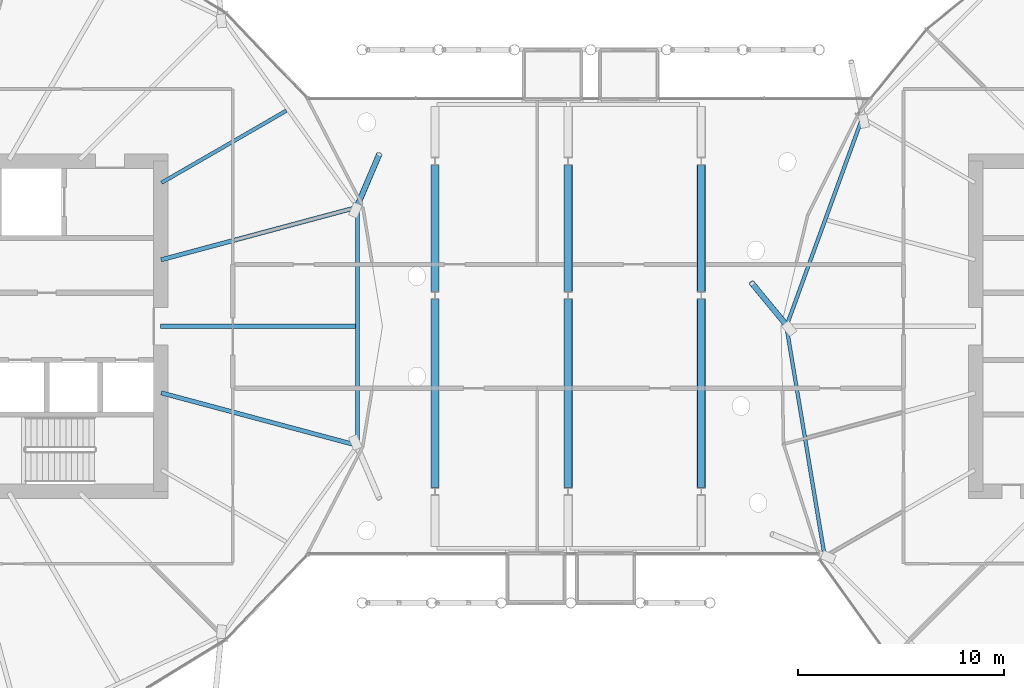
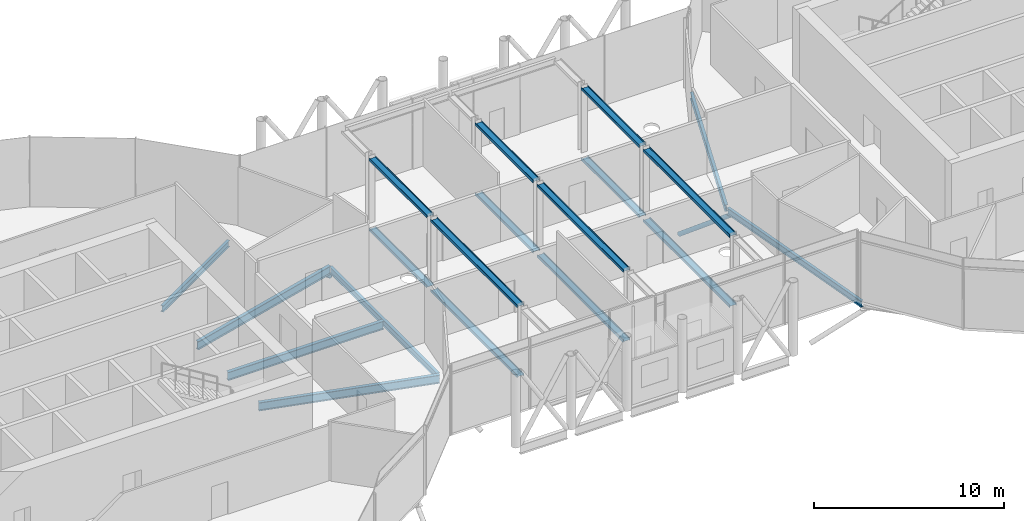
# One storey, part 7 of 36: 19 beams, 2 members.
"""IFC4 building model written with IfcOpenShell, lengths in metres."""

from ifc_helpers import new_model, si_unit, direction, frame, origin, origin_2d, place, context, subcontext, project, spatial, hollow_circle, i_section, extrude, clip, halfspace, material, material_profile, profile_set, type_object, element, save


model = new_model("IFC4")

# Units and contexts
model_context = context("Model", 3, precision=1e-05, world=origin(), true_north=direction((0.0, 1.0)))
body_context = subcontext(model_context, "Body", "Model", "MODEL_VIEW")
ifc_project = project(units=[si_unit("LENGTHUNIT", "METRE"), si_unit("AREAUNIT", "SQUARE_METRE"), si_unit("VOLUMEUNIT", "CUBIC_METRE"), si_unit("PLANEANGLEUNIT", "RADIAN"), si_unit("MASSUNIT", "GRAM", prefix="KILO")], contexts=[model_context])

# Site, building, storey
site_placement = place(None, origin())
site = spatial("IfcSite", under=ifc_project, at=site_placement, CompositionType="ELEMENT")
building_placement = place(site_placement, origin())
building = spatial("IfcBuilding", under=site, at=building_placement, Name="Rimbun Link Towers", CompositionType="ELEMENT")
storey_placement = place(building_placement, frame((0.0, 0.0, 154.39990234375)))
storey = spatial("IfcBuildingStorey", under=building, at=storey_placement, Name="L37", CompositionType="ELEMENT", Elevation=154.39990234375)

# Members
ifc_material_1 = material(Name="Steel S355J2H", Category="steel")
ifc_material_profile_1 = material_profile(ifc_material_1, hollow_circle(Radius=0.136474609375, WallThickness=0.012451171875, at=origin_2d()), Name="CHS 273x12.5")
ifc_profile_set_1 = profile_set([ifc_material_profile_1], Name="Steel S355J2H")
member_type = type_object("IfcMemberType", Name="Floor edge link CHS 273x12.5", PredefinedType="BRACE", material=ifc_profile_set_1)
member_1_placement = place(storey_placement, frame((-10.252197265625, 5.76025390625, -0.827392578125), z_axis=(0.329569571797, 0.770767546944, -0.545253414409), x_axis=(-0.919472704043, 0.393153845867, 0.0)))
element("IfcMember", 1, at=member_1_placement, inside=storey, type_object=member_type, Name="Floor edge link T1 L37 01", PredefinedType="BRACE", context=body_context, shape_type="Clipping", body=[
    clip(extrude(hollow_circle(Radius=0.136474609375, WallThickness=0.012451171875, at=origin_2d()), frame((0.0, 0.0, -0.43798828125)), (0.0, 0.0, 1.0), 3.790771484375), halfspace(frame((0.0, 0.0, -0.2060546875), z_axis=(0.0, 0.838271265209, -0.545253414409)), False)),
])
member_2_placement = place(storey_placement, frame((10.625732421875, 0.0, -0.826416015625), z_axis=(-0.527432973535, 0.640618885708, -0.558051880833), x_axis=(-0.772010372163, -0.635609931698, 0.0)))
element("IfcMember", 2, at=member_2_placement, inside=storey, type_object=member_type, Name="Floor edge link T2 L37 09", PredefinedType="BRACE", context=body_context, shape_type="Clipping", body=[
    clip(extrude(hollow_circle(Radius=0.136474609375, WallThickness=0.012451171875, at=origin_2d()), frame((0.0, 0.0, -0.423828125)), (0.0, 0.0, 1.0), 3.708984375), halfspace(frame((0.0, 0.0, -0.19970703125), z_axis=(0.0, 0.829806060654, -0.558051880833)), False)),
])

# Beams
ifc_material_2 = material(Name="Steel S355J2", Category="steel")
ifc_material_profile_2 = material_profile(ifc_material_2, i_section(OverallWidth=0.177978515625, OverallDepth=0.406494140625, WebThickness=0.0078125, FlangeThickness=0.0126953125, at=origin_2d()), Name="UKB 406x178x60")
ifc_profile_set_2 = profile_set([ifc_material_profile_2], Name="Steel S355J2")
beam_type_1 = type_object("IfcBeamType", Name="Link floor beam UKB 406x178x60", PredefinedType="BEAM", material=ifc_profile_set_2)
beam_1_placement = place(storey_placement, frame((-6.449951171875, -7.8125, -0.363037109375), z_axis=(0.0, 1.0, 0.0), x_axis=(0.0, 0.0, 1.0)))
element("IfcBeam", 3, at=beam_1_placement, inside=storey, type_object=beam_type_1, Name="Link floor beam L37 01", PredefinedType="BEAM", context=body_context, shape_type="SweptSolid", body=[
    extrude(i_section(OverallWidth=0.177978515625, OverallDepth=0.406494140625, WebThickness=0.0078125, FlangeThickness=0.0126953125, at=origin_2d()), origin(), (0.0, 0.0, 1.0), 9.125244140625),
])
beam_2_placement = place(storey_placement, frame((-6.449951171875, 1.687255859375, -0.363037109375), z_axis=(0.0, 1.0, 0.0), x_axis=(0.0, 0.0, 1.0)))
element("IfcBeam", 4, at=beam_2_placement, inside=storey, type_object=beam_type_1, Name="Link floor beam L37 02", PredefinedType="BEAM", context=body_context, shape_type="SweptSolid", body=[
    extrude(i_section(OverallWidth=0.177978515625, OverallDepth=0.406494140625, WebThickness=0.0078125, FlangeThickness=0.0126953125, at=origin_2d()), origin(), (0.0, 0.0, 1.0), 6.125244140625),
])
beam_3_placement = place(storey_placement, frame((0.0, -7.8125, -0.363037109375), z_axis=(0.0, 1.0, 0.0), x_axis=(0.0, 0.0, 1.0)))
element("IfcBeam", 5, at=beam_3_placement, inside=storey, type_object=beam_type_1, Name="Link floor beam L37 05", PredefinedType="BEAM", context=body_context, shape_type="SweptSolid", body=[
    extrude(i_section(OverallWidth=0.177978515625, OverallDepth=0.406494140625, WebThickness=0.0078125, FlangeThickness=0.0126953125, at=origin_2d()), origin(), (0.0, 0.0, 1.0), 9.125244140625),
])
beam_4_placement = place(storey_placement, frame((0.0, 1.687255859375, -0.363037109375), z_axis=(0.0, 1.0, 0.0), x_axis=(0.0, 0.0, 1.0)))
element("IfcBeam", 6, at=beam_4_placement, inside=storey, type_object=beam_type_1, Name="Link floor beam L37 06", PredefinedType="BEAM", context=body_context, shape_type="SweptSolid", body=[
    extrude(i_section(OverallWidth=0.177978515625, OverallDepth=0.406494140625, WebThickness=0.0078125, FlangeThickness=0.0126953125, at=origin_2d()), origin(), (0.0, 0.0, 1.0), 6.125244140625),
])
beam_5_placement = place(storey_placement, frame((6.449951171875, -7.8125, -0.363037109375), z_axis=(0.0, 1.0, 0.0), x_axis=(0.0, 0.0, 1.0)))
element("IfcBeam", 7, at=beam_5_placement, inside=storey, type_object=beam_type_1, Name="Link floor beam L37 09", PredefinedType="BEAM", context=body_context, shape_type="SweptSolid", body=[
    extrude(i_section(OverallWidth=0.177978515625, OverallDepth=0.406494140625, WebThickness=0.0078125, FlangeThickness=0.0126953125, at=origin_2d()), origin(), (0.0, 0.0, 1.0), 9.125244140625),
])
beam_6_placement = place(storey_placement, frame((6.449951171875, 1.687255859375, -0.363037109375), z_axis=(0.0, 1.0, 0.0), x_axis=(0.0, 0.0, 1.0)))
element("IfcBeam", 8, at=beam_6_placement, inside=storey, type_object=beam_type_1, Name="Link floor beam L37 10", PredefinedType="BEAM", context=body_context, shape_type="SweptSolid", body=[
    extrude(i_section(OverallWidth=0.177978515625, OverallDepth=0.406494140625, WebThickness=0.0078125, FlangeThickness=0.0126953125, at=origin_2d()), origin(), (0.0, 0.0, 1.0), 6.125244140625),
])
beam_7_placement = place(storey_placement, frame((-6.449951171875, -7.8125, 4.136962890625), z_axis=(0.0, 1.0, 0.0), x_axis=(0.0, 0.0, 1.0)))
element("IfcBeam", 9, at=beam_7_placement, inside=storey, type_object=beam_type_1, Name="Link roof beam 01", PredefinedType="BEAM", context=body_context, shape_type="SweptSolid", body=[
    extrude(i_section(OverallWidth=0.177978515625, OverallDepth=0.406494140625, WebThickness=0.0078125, FlangeThickness=0.0126953125, at=origin_2d()), origin(), (0.0, 0.0, 1.0), 9.125244140625),
])
beam_8_placement = place(storey_placement, frame((-6.449951171875, 1.687255859375, 4.136962890625), z_axis=(0.0, 1.0, 0.0), x_axis=(0.0, 0.0, 1.0)))
element("IfcBeam", 10, at=beam_8_placement, inside=storey, type_object=beam_type_1, Name="Link roof beam 02", PredefinedType="BEAM", context=body_context, shape_type="SweptSolid", body=[
    extrude(i_section(OverallWidth=0.177978515625, OverallDepth=0.406494140625, WebThickness=0.0078125, FlangeThickness=0.0126953125, at=origin_2d()), origin(), (0.0, 0.0, 1.0), 6.125244140625),
])
beam_9_placement = place(storey_placement, frame((0.0, -7.8125, 4.136962890625), z_axis=(0.0, 1.0, 0.0), x_axis=(0.0, 0.0, 1.0)))
element("IfcBeam", 11, at=beam_9_placement, inside=storey, type_object=beam_type_1, Name="Link roof beam 05", PredefinedType="BEAM", context=body_context, shape_type="SweptSolid", body=[
    extrude(i_section(OverallWidth=0.177978515625, OverallDepth=0.406494140625, WebThickness=0.0078125, FlangeThickness=0.0126953125, at=origin_2d()), origin(), (0.0, 0.0, 1.0), 9.125244140625),
])
beam_10_placement = place(storey_placement, frame((0.0, 1.687255859375, 4.136962890625), z_axis=(0.0, 1.0, 0.0), x_axis=(0.0, 0.0, 1.0)))
element("IfcBeam", 12, at=beam_10_placement, inside=storey, type_object=beam_type_1, Name="Link roof beam 06", PredefinedType="BEAM", context=body_context, shape_type="SweptSolid", body=[
    extrude(i_section(OverallWidth=0.177978515625, OverallDepth=0.406494140625, WebThickness=0.0078125, FlangeThickness=0.0126953125, at=origin_2d()), origin(), (0.0, 0.0, 1.0), 6.125244140625),
])
beam_11_placement = place(storey_placement, frame((6.449951171875, -7.8125, 4.136962890625), z_axis=(0.0, 1.0, 0.0), x_axis=(0.0, 0.0, 1.0)))
element("IfcBeam", 13, at=beam_11_placement, inside=storey, type_object=beam_type_1, Name="Link roof beam 09", PredefinedType="BEAM", context=body_context, shape_type="SweptSolid", body=[
    extrude(i_section(OverallWidth=0.177978515625, OverallDepth=0.406494140625, WebThickness=0.0078125, FlangeThickness=0.0126953125, at=origin_2d()), origin(), (0.0, 0.0, 1.0), 9.125244140625),
])
beam_12_placement = place(storey_placement, frame((6.449951171875, 1.687255859375, 4.136962890625), z_axis=(0.0, 1.0, 0.0), x_axis=(0.0, 0.0, 1.0)))
element("IfcBeam", 14, at=beam_12_placement, inside=storey, type_object=beam_type_1, Name="Link roof beam 10", PredefinedType="BEAM", context=body_context, shape_type="SweptSolid", body=[
    extrude(i_section(OverallWidth=0.177978515625, OverallDepth=0.406494140625, WebThickness=0.0078125, FlangeThickness=0.0126953125, at=origin_2d()), origin(), (0.0, 0.0, 1.0), 6.125244140625),
])
ifc_material_3 = material(Name="Steel S355J2", Category="steel")
ifc_material_profile_3 = material_profile(ifc_material_3, i_section(OverallWidth=0.177978515625, OverallDepth=0.406494140625, WebThickness=0.0078125, FlangeThickness=0.0126953125, at=origin_2d()), Name="UB 406x178x60")
ifc_profile_set_3 = profile_set([ifc_material_profile_3], Name="Steel S355J2")
beam_type_2 = type_object("IfcBeamType", Name="UB 406x178x60", PredefinedType="BEAM", material=ifc_profile_set_3)
beam_13_placement = place(storey_placement, frame((-19.70458984375, 6.954345703125, -0.383056640625), z_axis=(0.866015068498, 0.500017900814, 0.0), x_axis=(-0.500017900814, 0.866015068498, 0.0)))
element("IfcBeam", 15, at=beam_13_placement, inside=storey, type_object=beam_type_2, Name="Radial beam T1 L37 02", PredefinedType="BEAM", context=body_context, shape_type="SweptSolid", body=[
    extrude(i_section(OverallWidth=0.177978515625, OverallDepth=0.406494140625, WebThickness=0.0078125, FlangeThickness=0.0126953125, at=origin_2d()), origin(), (0.0, 0.0, 1.0), 6.986083984375),
])
beam_14_placement = place(storey_placement, frame((-10.2041015625, -5.663818359375, -0.383056640625), z_axis=(0.0, 1.0, 0.0), x_axis=(-1.0, 0.0, 0.0)))
element("IfcBeam", 16, at=beam_14_placement, inside=storey, type_object=beam_type_2, Name="Edge beam T1 L37 23-01", PredefinedType="BEAM", context=body_context, shape_type="SweptSolid", body=[
    extrude(i_section(OverallWidth=0.177978515625, OverallDepth=0.406494140625, WebThickness=0.0078125, FlangeThickness=0.0126953125, at=origin_2d()), origin(), (0.0, 0.0, 1.0), 11.32763671875),
])
beam_15_placement = place(storey_placement, frame((14.224609375, 10.018310546875, -0.383056640625), z_axis=(-0.342226131453, -0.939617621669, 0.0), x_axis=(0.939617621669, -0.342226131453, 0.0)))
element("IfcBeam", 17, at=beam_15_placement, inside=storey, type_object=beam_type_2, Name="Edge beam T2 L37 07-09", PredefinedType="BEAM", context=body_context, shape_type="SweptSolid", body=[
    extrude(i_section(OverallWidth=0.177978515625, OverallDepth=0.406494140625, WebThickness=0.0078125, FlangeThickness=0.0126953125, at=origin_2d()), origin(), (0.0, 0.0, 1.0), 10.549560546875),
])
beam_16_placement = place(storey_placement, frame((10.593505859375, -0.105712890625, -0.383056640625), z_axis=(0.164192057135, -0.986428389886, 0.0), x_axis=(0.986428389886, 0.164192057135, 0.0)))
element("IfcBeam", 18, at=beam_16_placement, inside=storey, type_object=beam_type_2, Name="Edge beam T2 L37 09-11", PredefinedType="BEAM", context=body_context, shape_type="SweptSolid", body=[
    extrude(i_section(OverallWidth=0.177978515625, OverallDepth=0.406494140625, WebThickness=0.0078125, FlangeThickness=0.0126953125, at=origin_2d()), origin(), (0.0, 0.0, 1.0), 11.096923828125),
])
ifc_material_4 = material(Name="Steel S355J2", Category="steel")
ifc_material_profile_4 = material_profile(ifc_material_4, i_section(OverallWidth=0.209228515625, OverallDepth=0.533203125, WebThickness=0.010009765625, FlangeThickness=0.015625, at=origin_2d()), Name="UB 533x210x92")
ifc_profile_set_4 = profile_set([ifc_material_profile_4], Name="Steel S355J2")
beam_type_3 = type_object("IfcBeamType", Name="UB 533x210x92", PredefinedType="BEAM", material=ifc_profile_set_4)
beam_17_placement = place(storey_placement, frame((-19.7490234375, 0.0, -0.4462890625), z_axis=(1.0, 0.0, 0.0), x_axis=(0.0, 1.0, 0.0)))
element("IfcBeam", 19, at=beam_17_placement, inside=storey, type_object=beam_type_3, Name="Radial beam T1 L37 00", PredefinedType="BEAM", context=body_context, shape_type="SweptSolid", body=[
    extrude(i_section(OverallWidth=0.209228515625, OverallDepth=0.533203125, WebThickness=0.010009765625, FlangeThickness=0.015625, at=origin_2d()), origin(), (0.0, 0.0, 1.0), 9.455078125),
])
for number, where, z_axis, x_axis, name in (
    (20, (-19.721923828125, 3.222900390625, -0.4462890625), (0.965925821748, 0.258819062049, 0.0), (-0.258819062049, 0.965925821748, 0.0), "Radial beam T1 L37 01"),
    (21, (-19.721923828125, -3.222900390625, -0.4462890625), (0.965925821748, -0.258819062049, 0.0), (0.258819062049, 0.965925821748, 0.0), "Radial beam T1 L37 23"),
):
    element("IfcBeam", number, at=place(storey_placement, frame(where, z_axis=z_axis, x_axis=x_axis)), inside=storey, type_object=beam_type_3, Name=name, PredefinedType="BEAM", context=body_context, shape_type="SweptSolid", body=[
        extrude(i_section(OverallWidth=0.209228515625, OverallDepth=0.533203125, WebThickness=0.010009765625, FlangeThickness=0.015625, at=origin_2d()), origin(), (0.0, 0.0, 1.0), 9.853515625),
    ])

save(model, "model.ifc")
